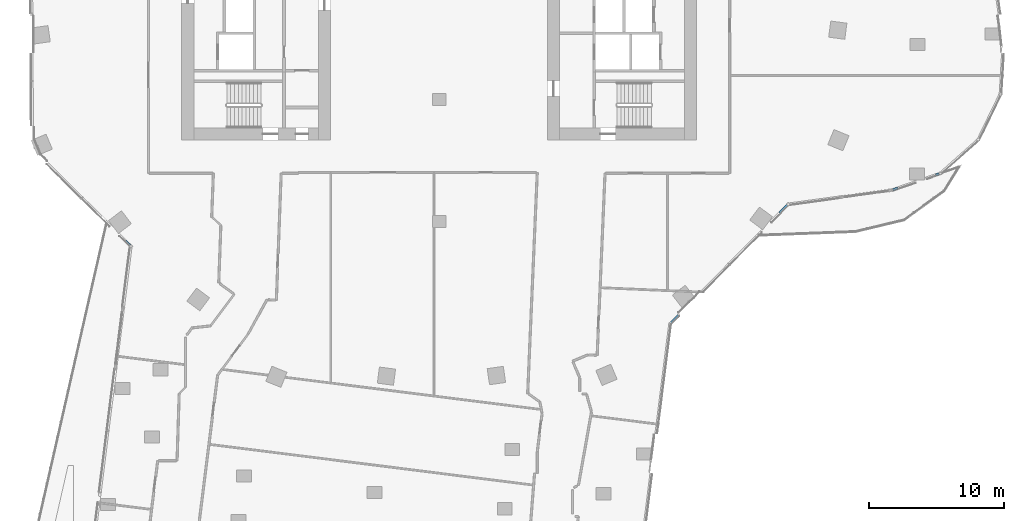
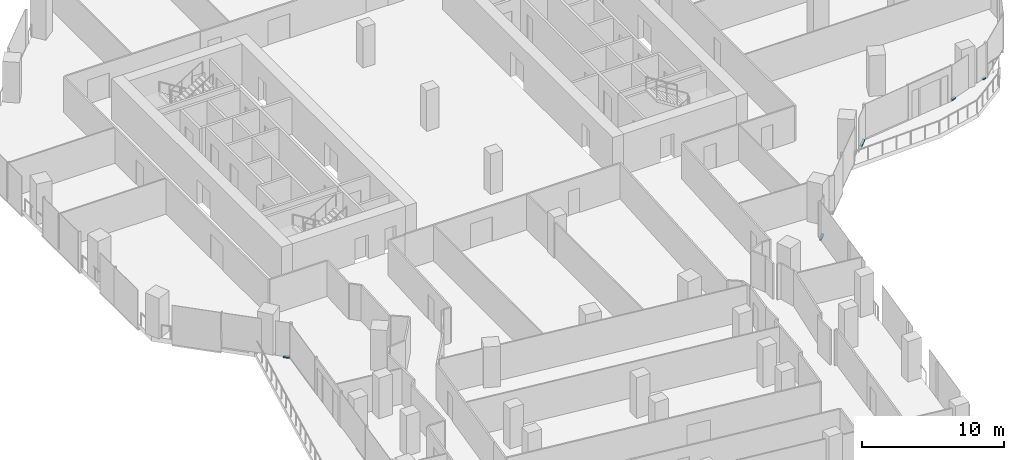
# One storey, part 12 of 29: 5 members, 3 elements without a shape of their own.
"""IFC4 building model written with IfcOpenShell, lengths in metres."""

from ifc_helpers import new_model, si_unit, direction, frame, origin, origin_2d, place, context, subcontext, project, spatial, rectangle, extrude, material, material_profile, profile_set, type_object, element, aggregate, save


model = new_model("IFC4")

# Units and contexts
model_context = context("Model", 3, precision=1e-05, world=origin(), true_north=direction((0.0, 1.0)))
body_context = subcontext(model_context, "Body", "Model", "MODEL_VIEW")
ifc_project = project(units=[si_unit("LENGTHUNIT", "METRE"), si_unit("AREAUNIT", "SQUARE_METRE"), si_unit("VOLUMEUNIT", "CUBIC_METRE"), si_unit("PLANEANGLEUNIT", "RADIAN"), si_unit("MASSUNIT", "GRAM", prefix="KILO")], contexts=[model_context])

# Site, building, storey
site_placement = place(None, origin())
site = spatial("IfcSite", under=ifc_project, at=site_placement, CompositionType="ELEMENT")
building_placement = place(site_placement, origin())
building = spatial("IfcBuilding", under=site, at=building_placement, Name="Orlundy Tower", CompositionType="ELEMENT")
storey_placement = place(building_placement, frame((0.0, 0.0, 188.60009765625)))
storey = spatial("IfcBuildingStorey", under=building, at=storey_placement, Name="L49", CompositionType="ELEMENT", Elevation=188.60009765625)

# Curtain wall, member
ifc_material_1 = material(Name="Aluminium bronze anodised", Category="aluminium")
curtain_wall_type = type_object("IfcCurtainWallType", Name="CW1 wall", PredefinedType="NOTDEFINED", material=ifc_material_1)
curtain_wall_1_placement = place(storey_placement, origin())
curtain_wall_1 = element("IfcCurtainWall", 1, at=curtain_wall_1_placement, inside=storey, type_object=curtain_wall_type, Name="CW1 run 01", PredefinedType="NOTDEFINED")
ifc_material_2 = material(Name="Aluminium bronze anodised", Category="aluminium")
ifc_material_profile = material_profile(ifc_material_2, rectangle(XDim=0.179931640625, YDim=0.1201171875, at=origin_2d()), Name="CW1 transom 180x120")
ifc_profile_set = profile_set([ifc_material_profile], Name="Aluminium bronze anodised")
member_type = type_object("IfcMemberType", Name="CW1 transom 180x120", PredefinedType="USERDEFINED", material=ifc_profile_set)
member_1_placement = place(storey_placement, frame((-22.805908203125, -19.7666015625, 0.059814453125), z_axis=(-0.710913122536, 0.703279839187, 0.0), x_axis=(-0.703279839187, -0.710913122536, 0.0)))
member_1 = element("IfcMember", 2, at=member_1_placement, type_object=member_type, Name="CW1 transom", ObjectType="TRANSOM", PredefinedType="USERDEFINED", context=body_context, shape_type="SweptSolid", body=[
    extrude(rectangle(XDim=0.179931640625, YDim=0.1201171875, at=origin_2d()), origin(), (0.0, 0.0, 1.0), 0.479736328125),
])
aggregate(curtain_wall_1, [member_1])

# Curtain wall, members
curtain_wall_2_placement = place(storey_placement, origin())
curtain_wall_2 = element("IfcCurtainWall", 3, at=curtain_wall_2_placement, inside=storey, type_object=curtain_wall_type, Name="CW1 run 015", PredefinedType="NOTDEFINED")
member_2_placement = place(storey_placement, frame((36.9013671875, -14.484619140625, 0.059814453125), z_axis=(-0.944974357679, -0.327144407455, 0.0), x_axis=(0.327144407455, -0.944974357679, 0.0)))
member_2 = element("IfcMember", 4, at=member_2_placement, type_object=member_type, Name="CW1 transom", ObjectType="TRANSOM", PredefinedType="USERDEFINED", context=body_context, shape_type="SweptSolid", body=[
    extrude(rectangle(XDim=0.179931640625, YDim=0.1201171875, at=origin_2d()), origin(), (0.0, 0.0, 1.0), 0.247802734375),
])
member_3_placement = place(storey_placement, frame((33.848876953125, -15.540771484375, 0.059814453125), z_axis=(-0.945105546445, -0.326765215526, 0.0), x_axis=(0.326765215526, -0.945105546445, 0.0)))
member_3 = element("IfcMember", 5, at=member_3_placement, type_object=member_type, Name="CW1 transom", ObjectType="TRANSOM", PredefinedType="USERDEFINED", context=body_context, shape_type="SweptSolid", body=[
    extrude(rectangle(XDim=0.179931640625, YDim=0.1201171875, at=origin_2d()), origin(), (0.0, 0.0, 1.0), 0.388427734375),
])
aggregate(curtain_wall_2, [member_2, member_3])

curtain_wall_3_placement = place(storey_placement, origin())
curtain_wall_3 = element("IfcCurtainWall", 6, at=curtain_wall_3_placement, inside=storey, type_object=curtain_wall_type, Name="CW1 run 017", PredefinedType="NOTDEFINED")
member_4_placement = place(storey_placement, frame((25.704345703125, -16.798095703125, 0.059814453125), z_axis=(-0.703167558912, -0.711024179682, 0.0), x_axis=(0.711024179682, -0.703167558912, 0.0)))
member_4 = element("IfcMember", 7, at=member_4_placement, type_object=member_type, Name="CW1 transom", ObjectType="TRANSOM", PredefinedType="USERDEFINED", context=body_context, shape_type="SweptSolid", body=[
    extrude(rectangle(XDim=0.179931640625, YDim=0.1201171875, at=origin_2d()), origin(), (0.0, 0.0, 1.0), 0.807861328125),
])
member_5_placement = place(storey_placement, frame((17.668212890625, -24.92822265625, -0.360107421875), z_axis=(-0.702772622953, -0.711414534873, 0.0), x_axis=(0.711414534873, -0.702772622953, 0.0)))
member_5 = element("IfcMember", 8, at=member_5_placement, type_object=member_type, Name="CW1 transom", ObjectType="TRANSOM", PredefinedType="USERDEFINED", context=body_context, shape_type="SweptSolid", body=[
    extrude(rectangle(XDim=0.179931640625, YDim=0.1201171875, at=origin_2d()), origin(), (0.0, 0.0, 1.0), 0.791015625),
])
aggregate(curtain_wall_3, [member_4, member_5])

save(model, "model.ifc")
